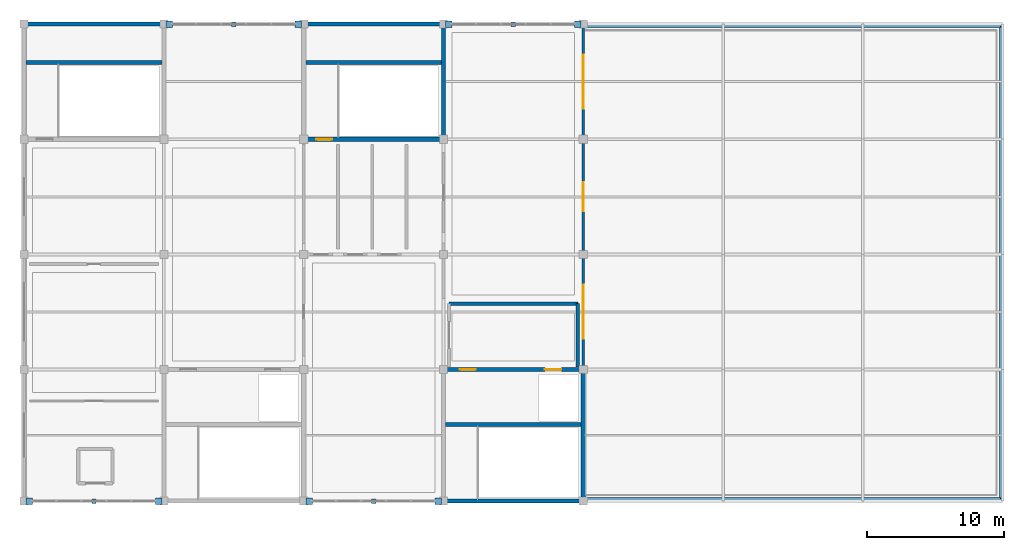
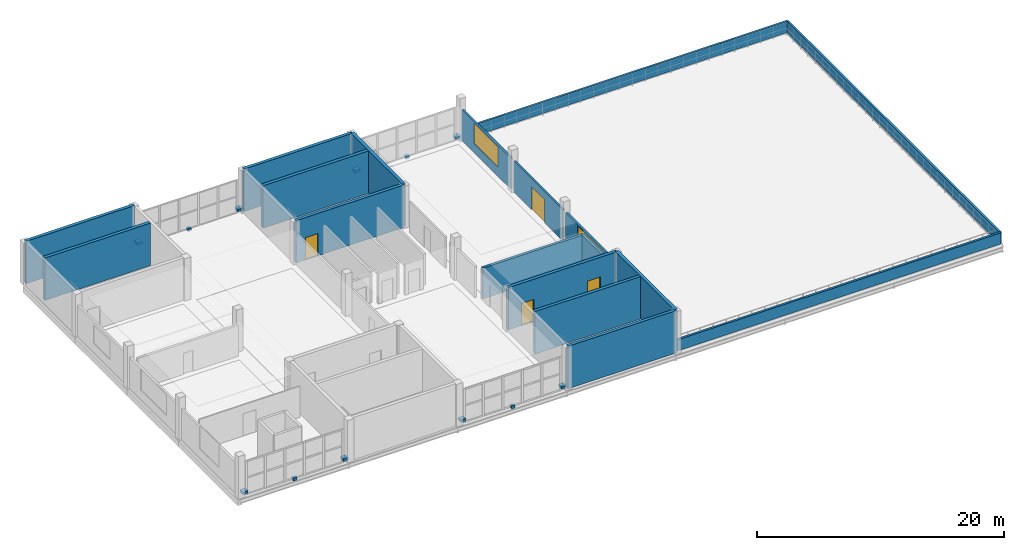
# One storey, part 11 of 12: 18 walls, 12 discrete accessories, 4 doors, 2 windows, 6 openings.
"""IFC4 building model written with IfcOpenShell, lengths in metres."""

import ifcopenshell
import ifcopenshell.guid

model = None  # the IFC model being written
_history = None  # IfcOwnerHistory: only IFC2X3 demands one
_inside = {}  # id of a spatial element -> (the spatial element, [elements in it])
_under = {}  # id of a project, library or spatial element -> (it, [spatial elements below it])
_declared = {}  # id of a project -> (the project, [libraries it declares])
_typed = {}  # id of a type object -> (the type object, [elements of that type])
_made_of = {}  # id of a material, layer set ... -> (it, [elements and type objects made of it])


def new_model(schema):
    """Start an empty IFC model of exactly this schema.

    Asked for "IFC4X3", IfcOpenShell would pick the latest addendum, in which some entities
    have other attributes; the version numbers below select the first issue.
    IFC2X3 requires an IfcOwnerHistory on every rooted entity: one is made here for all.
    """
    global model, _history
    if schema == "IFC4X3":
        model = ifcopenshell.file(schema_version=(4, 3, 0, 0))
    else:
        model = ifcopenshell.file(schema=schema)
    _inside.clear()
    _under.clear()
    _declared.clear()
    _typed.clear()
    _made_of.clear()
    _history = None
    if model.schema == "IFC2X3":
        org = make("IfcOrganization", Name="unknown")
        user = make(
            "IfcPersonAndOrganization",
            ThePerson=make("IfcPerson", FamilyName="unknown"),
            TheOrganization=org,
        )
        app = make(
            "IfcApplication",
            ApplicationDeveloper=org,
            Version="unknown",
            ApplicationFullName="unknown",
            ApplicationIdentifier="unknown",
        )
        _history = make(
            "IfcOwnerHistory",
            OwningUser=user,
            OwningApplication=app,
            ChangeAction="ADDED",
            CreationDate=0,
        )
    return model


def make(cls, **values):
    """One entity of the class cls with the attributes given. An attribute that is None is left unset."""
    return model.create_entity(
        cls, **{name: value for name, value in values.items() if value is not None}
    )


def rooted(cls, **values):
    """An entity with a GlobalId (a new one), such as an element, a storey or a relation."""
    return make(cls, GlobalId=ifcopenshell.guid.new(), OwnerHistory=_history, **values)


def si_unit(unit_type, name, prefix=None):
    """IfcSIUnit, for example si_unit("LENGTHUNIT", "METRE", prefix="MILLI")."""
    return make("IfcSIUnit", UnitType=unit_type, Prefix=prefix, Name=name)


def assignment(units):
    """IfcUnitAssignment: the units of a project."""
    return None if units is None else make("IfcUnitAssignment", Units=units)


def point(xyz):
    """IfcCartesianPoint."""
    return None if xyz is None else make("IfcCartesianPoint", Coordinates=xyz)


def direction(xyz):
    """IfcDirection."""
    return None if xyz is None else make("IfcDirection", DirectionRatios=xyz)


def frame(location, z_axis=None, x_axis=None):
    """IfcAxis2Placement3D, a coordinate frame: its origin and axes. An axis left out is left unset."""
    return make(
        "IfcAxis2Placement3D",
        Location=point(location),
        Axis=direction(z_axis),
        RefDirection=direction(x_axis),
    )


def frame_2d(location, x_axis=None):
    """IfcAxis2Placement2D, a coordinate frame in the plane: its origin and x axis."""
    return make(
        "IfcAxis2Placement2D", Location=point(location), RefDirection=direction(x_axis)
    )


def origin():
    """The frame at (0, 0, 0) with its axes left unset."""
    return frame((0.0, 0.0, 0.0))


def origin_2d():
    """The frame at (0, 0) in the plane with its x axis left unset."""
    return frame_2d((0.0, 0.0))


def place(relative_to, where):
    """IfcLocalPlacement: puts the frame where relative to a parent placement (None: the world)."""
    return make(
        "IfcLocalPlacement", PlacementRelTo=relative_to, RelativePlacement=where
    )


def context(
    kind, dimensions, precision=None, world=None, true_north=None, identifier=None
):
    """IfcGeometricRepresentationContext, for example the 3D "Model" context."""
    return make(
        "IfcGeometricRepresentationContext",
        ContextIdentifier=identifier,
        ContextType=kind,
        CoordinateSpaceDimension=dimensions,
        Precision=precision,
        WorldCoordinateSystem=world,
        TrueNorth=true_north,
    )


def subcontext(parent, identifier, kind, view, scale=None):
    """IfcGeometricRepresentationSubContext, for example "Body" below "Model"."""
    return make(
        "IfcGeometricRepresentationSubContext",
        ContextIdentifier=identifier,
        ContextType=kind,
        ParentContext=parent,
        TargetScale=scale,
        TargetView=view,
    )


def project(units=None, contexts=None):
    """IfcProject with its units and contexts."""
    return rooted(
        "IfcProject",
        Name="project",
        RepresentationContexts=contexts,
        UnitsInContext=assignment(units),
    )


def spatial(cls, under=None, at=None, **own):
    """A site, building, storey or space (cls), placed at a placement, below another one or the project."""
    s = rooted(cls, ObjectPlacement=at, **own)
    if under is not None:
        _under.setdefault(under.id(), (under, []))[1].append(s)
    return s


def profile(cls, at=None, kind="AREA", **sizes):
    """A parametric profile (cls). Its sizes go by their IFC names, for example OverallWidth=200.0."""
    return make(cls, ProfileType=kind, Position=at, **sizes)


def rectangle(**sizes):
    """IfcRectangleProfileDef."""
    return profile("IfcRectangleProfileDef", **sizes)


def extrude(swept, where, along, depth):
    """IfcExtrudedAreaSolid: the profile swept, set in the frame where, extruded along a direction by depth."""
    return make(
        "IfcExtrudedAreaSolid",
        SweptArea=swept,
        Position=where,
        ExtrudedDirection=direction(along),
        Depth=depth,
    )


def shape(context_of_items, identifier, shape_type, items):
    """IfcShapeRepresentation: the items that make up one representation, for example the "Body"."""
    return make(
        "IfcShapeRepresentation",
        ContextOfItems=context_of_items,
        RepresentationIdentifier=identifier,
        RepresentationType=shape_type,
        Items=items,
    )


def material(Name=None, Category=None):
    """IfcMaterial."""
    return make("IfcMaterial", Name=Name, Category=Category)


def layer(
    of_material, thickness, ventilated=None, Name=None, Category=None, Priority=None
):
    """IfcMaterialLayer: one layer of a wall or slab, of a material (None: an air gap)."""
    return make(
        "IfcMaterialLayer",
        Material=of_material,
        LayerThickness=thickness,
        IsVentilated=ventilated,
        Name=Name,
        Category=Category,
        Priority=Priority,
    )


def layer_set(layers, Name=None):
    """IfcMaterialLayerSet."""
    return make("IfcMaterialLayerSet", MaterialLayers=layers, LayerSetName=Name)


def made_of(thing, what):
    """Note that an element or type object is made of a material, layer set ...; save() writes the relation."""
    if what is not None:
        _made_of.setdefault(what.id(), (what, []))[1].append(thing)
    return thing


def type_object(cls, material=None, **own):
    """A type object (cls), such as IfcWallType, which elements share."""
    return made_of(rooted(cls, **own), material)


def element(
    cls,
    number,
    at=None,
    inside=None,
    cuts=None,
    type_object=None,
    material=None,
    context=None,
    identifier="Body",
    shape_type=None,
    held_by="IfcProductDefinitionShape",
    body=None,
    shapes=None,
    **own,
):
    """One element of the class cls, such as IfcWall. Its Tag is "e" and its number.

    at: its placement. inside: the storey or other place that contains it. cuts: it is an
    opening in that element (IfcRelVoidsElement). A single representation is given by context,
    identifier, shape_type and body (its items); several are given by shapes. held_by: the class
    of the entity that holds the representations. save() writes the other relations.
    """
    e = rooted(cls, Tag="e%d" % number, ObjectPlacement=at, **own)
    if body is not None:
        shapes = [shape(context, identifier, shape_type, body)]
    if shapes is not None:
        e.Representation = make(held_by, Representations=shapes)
    if inside is not None:
        _inside.setdefault(inside.id(), (inside, []))[1].append(e)
    if cuts is not None:
        rooted(
            "IfcRelVoidsElement", RelatingBuildingElement=cuts, RelatedOpeningElement=e
        )
    if type_object is not None:
        _typed.setdefault(type_object.id(), (type_object, []))[1].append(e)
    return made_of(e, material)


def fill(opening, filler):
    """IfcRelFillsElement: the door or window that sits in an opening."""
    return rooted(
        "IfcRelFillsElement",
        RelatingOpeningElement=opening,
        RelatedBuildingElement=filler,
    )


def aggregate(whole, parts):
    """IfcRelAggregates: a whole, such as a stair, and the parts it consists of."""
    return rooted("IfcRelAggregates", RelatingObject=whole, RelatedObjects=parts)


def save(model, path):
    """Write the relations noted so far, then the file.

    IfcRelAggregates (storeys below a building ...), IfcRelContainedInSpatialStructure (elements
    in a storey), IfcRelDefinesByType, IfcRelAssociatesMaterial and IfcRelDeclares: one each for
    every whole, place, type object, material and project.
    """
    for whole, parts in _under.values():
        aggregate(whole, parts)
    for where, things in _inside.values():
        rooted(
            "IfcRelContainedInSpatialStructure",
            RelatedElements=things,
            RelatingStructure=where,
        )
    for kind, things in _typed.values():
        rooted("IfcRelDefinesByType", RelatedObjects=things, RelatingType=kind)
    for what, things in _made_of.values():
        rooted("IfcRelAssociatesMaterial", RelatedObjects=things, RelatingMaterial=what)
    for by, libraries in _declared.values():
        rooted("IfcRelDeclares", RelatingContext=by, RelatedDefinitions=libraries)
    model.write(path)


model = new_model("IFC4")

# Units and contexts
model_context = context("Model", 3, precision=1e-05, world=origin(), true_north=direction((0.0, 1.0)))
body_context = subcontext(model_context, "Body", "Model", "MODEL_VIEW")
ifc_project = project(units=[si_unit("LENGTHUNIT", "METRE"), si_unit("AREAUNIT", "SQUARE_METRE"), si_unit("VOLUMEUNIT", "CUBIC_METRE"), si_unit("PLANEANGLEUNIT", "RADIAN"), si_unit("MASSUNIT", "GRAM", prefix="KILO")], contexts=[model_context])

# Site, building, storey
site_placement = place(None, origin())
site = spatial("IfcSite", under=ifc_project, at=site_placement, CompositionType="ELEMENT")
building_placement = place(site_placement, origin())
building = spatial("IfcBuilding", under=site, at=building_placement, Name="Brelvane Convention Centre", CompositionType="ELEMENT")
storey_placement = place(building_placement, frame((0.0, 0.0, 23.39990234375)))
storey = spatial("IfcBuildingStorey", under=building, at=storey_placement, Name="L05", CompositionType="ELEMENT", Elevation=23.39990234375)

# Wall, opening, window
ifc_material_1 = material(Name="Insulated Autoclaved Aerated Concrete Block Grade 1", Category="concrete")
ifc_layer_1 = layer(ifc_material_1, 0.18994140625)
ifc_layer_set_1 = layer_set([ifc_layer_1], Name="Insulated Autoclaved Aerated Concrete Block Grade 1")
wall_type_1 = type_object("IfcWallType", Name="Exterior Wall EW-06", PredefinedType="STANDARD", material=ifc_layer_set_1)
wall_1_placement = place(storey_placement, frame((40.800048828125, 119.0400390625, 0.0), z_axis=(0.0, 0.0, 1.0), x_axis=(0.0, 1.0, 0.0)))
wall_1 = element("IfcWall", 1, at=wall_1_placement, inside=storey, type_object=wall_type_1, Name="Exterior Wall L05 V4E-2", PredefinedType="STANDARD", context=body_context, shape_type="SweptSolid", body=[
    extrude(rectangle(XDim=7.919921875, YDim=0.18994140625, at=frame_2d((3.9599609375, 0.0))), origin(), (0.0, 0.0, 1.0), 3.06005859375),
])
opening_1_placement = place(wall_1_placement, frame((1.985107421875, 0.0, 0.89990234375)))
opening_1 = element("IfcOpeningElement", 2, at=opening_1_placement, cuts=wall_1, Name="Opening WN-19", PredefinedType="OPENING", context=body_context, shape_type="SweptSolid", body=[
    extrude(rectangle(XDim=3.949951171875, YDim=2.02001953125, at=frame_2d((1.97509765625, 1.010009765625))), frame((0.0, 0.10498046875, 0.0), z_axis=(0.0, -1.0, 0.0), x_axis=(1.0, 0.0, 0.0)), (0.0, 0.0, 1.0), 0.2099609375),
])
ifc_material_2 = material(Name="Double Glazed Low-E Laminated Unit")
window_type = type_object("IfcWindowType", Name="Window WN-19", PartitioningType="TRIPLE_PANEL_VERTICAL", PredefinedType="WINDOW", material=ifc_material_2)
window_1_placement = place(opening_1_placement, origin())
window_1 = element("IfcWindow", 3, at=window_1_placement, inside=storey, type_object=window_type, Name="Facade Window L05-V4E-2-064", OverallHeight=2.02001953125, OverallWidth=3.949951171875, PartitioningType="TRIPLE_PANEL_VERTICAL", PredefinedType="WINDOW", context=body_context, shape_type="SweptSolid", body=[
    extrude(rectangle(XDim=3.949951171875, YDim=2.02001953125, at=frame_2d((1.97509765625, 1.010009765625))), frame((0.0, 0.030029296875, 0.0), z_axis=(0.0, -1.0, 0.0), x_axis=(1.0, 0.0, 0.0)), (0.0, 0.0, 1.0), 0.06005859375),
])
fill(opening_1, window_1)

# Wall, opening, door
wall_2_placement = place(storey_placement, frame((40.800048828125, 127.43994140625, 0.0), z_axis=(0.0, 0.0, 1.0), x_axis=(0.0, 1.0, 0.0)))
wall_2 = element("IfcWall", 4, at=wall_2_placement, inside=storey, type_object=wall_type_1, Name="Exterior Wall L05 V4E-3", PredefinedType="STANDARD", context=body_context, shape_type="SweptSolid", body=[
    extrude(rectangle(XDim=7.920166015625, YDim=0.18994140625, at=frame_2d((3.9599609375, 0.0))), origin(), (0.0, 0.0, 1.0), 3.06005859375),
])
opening_2_placement = place(wall_2_placement, frame((2.909912109375, 0.0, 0.0)))
opening_2 = element("IfcOpeningElement", 5, at=opening_2_placement, cuts=wall_2, Name="Opening DR-TR-01", PredefinedType="OPENING", context=body_context, shape_type="SweptSolid", body=[
    extrude(rectangle(XDim=2.10009765625, YDim=2.300048828125, at=frame_2d((1.050048828125, 1.14990234375))), frame((0.0, 0.10498046875, 0.0), z_axis=(0.0, -1.0, 0.0), x_axis=(1.0, 0.0, 0.0)), (0.0, 0.0, 1.0), 0.2099609375),
])
ifc_material_3 = material(Name="Anodised Aluminium Alloy 6063-T6", Category="aluminium")
door_type_1 = type_object("IfcDoorType", Name="Exterior Door DR-TR-01", OperationType="NOTDEFINED", PredefinedType="DOOR", material=ifc_material_3)
door_1_placement = place(opening_2_placement, frame((2.10009765625, 0.0, 0.0), z_axis=(0.0, 0.0, 1.0), x_axis=(-1.0, 0.0, 0.0)))
door_1 = element("IfcDoor", 6, at=door_1_placement, inside=storey, type_object=door_type_1, Name="Terrace Exit Door RG-MEET-L05-3 (DR-TR-01)", OperationType="DOUBLE_DOOR_SINGLE_SWING", OverallHeight=2.300048828125, OverallWidth=2.10009765625, PredefinedType="DOOR", context=body_context, shape_type="SweptSolid", body=[
    extrude(rectangle(XDim=2.10009765625, YDim=2.300048828125, at=frame_2d((1.050048828125, 1.14990234375))), frame((0.0, 0.02490234375, 0.0), z_axis=(0.0, -1.0, 0.0), x_axis=(1.0, 0.0, 0.0)), (0.0, 0.0, 1.0), 0.050048828125),
])
fill(opening_2, door_1)

# Wall, opening, window
wall_3_placement = place(storey_placement, frame((40.800048828125, 135.840087890625, 0.0), z_axis=(0.0, 0.0, 1.0), x_axis=(0.0, 1.0, 0.0)))
wall_3 = element("IfcWall", 7, at=wall_3_placement, inside=storey, type_object=wall_type_1, Name="Exterior Wall L05 V4E-4", PredefinedType="STANDARD", context=body_context, shape_type="SweptSolid", body=[
    extrude(rectangle(XDim=7.919921875, YDim=0.18994140625, at=frame_2d((3.9599609375, 0.0))), origin(), (0.0, 0.0, 1.0), 3.06005859375),
])
opening_3_placement = place(wall_3_placement, frame((1.985107421875, 0.0, 0.89990234375)))
opening_3 = element("IfcOpeningElement", 8, at=opening_3_placement, cuts=wall_3, Name="Opening WN-19", PredefinedType="OPENING", context=body_context, shape_type="SweptSolid", body=[
    extrude(rectangle(XDim=3.949951171875, YDim=2.02001953125, at=frame_2d((1.97509765625, 1.010009765625))), frame((0.0, 0.10498046875, 0.0), z_axis=(0.0, -1.0, 0.0), x_axis=(1.0, 0.0, 0.0)), (0.0, 0.0, 1.0), 0.2099609375),
])
window_2_placement = place(opening_3_placement, origin())
window_2 = element("IfcWindow", 9, at=window_2_placement, inside=storey, type_object=window_type, Name="Facade Window L05-V4E-4-065", OverallHeight=2.02001953125, OverallWidth=3.949951171875, PartitioningType="TRIPLE_PANEL_VERTICAL", PredefinedType="WINDOW", context=body_context, shape_type="SweptSolid", body=[
    extrude(rectangle(XDim=3.949951171875, YDim=2.02001953125, at=frame_2d((1.97509765625, 1.010009765625))), frame((0.0, 0.030029296875, 0.0), z_axis=(0.0, -1.0, 0.0), x_axis=(1.0, 0.0, 0.0)), (0.0, 0.0, 1.0), 0.06005859375),
])
fill(opening_3, window_2)

# Walls
ifc_material_4 = material(Name="Concrete M40", Category="concrete")
ifc_layer_2 = layer(ifc_material_4, 0.199951171875)
ifc_layer_set_2 = layer_set([ifc_layer_2], Name="Concrete M40")
wall_type_2 = type_object("IfcWallType", Name="Exterior Wall PW-01", PredefinedType="PARAPET", material=ifc_layer_set_2)
wall_4_placement = place(storey_placement, frame((40.949951171875, 109.35009765625, 0.0), z_axis=(0.0, 0.0, 1.0), x_axis=(1.0, 0.0, 0.0)))
element("IfcWall", 10, at=wall_4_placement, inside=storey, type_object=wall_type_2, Name="Roof Parapet L05-P11", PredefinedType="PARAPET", context=body_context, shape_type="SweptSolid", body=[
    extrude(rectangle(XDim=30.300048828125, YDim=0.199951171875, at=frame_2d((15.14990234375, 0.0))), origin(), (0.0, 0.0, 1.0), 1.10009765625),
])
wall_5_placement = place(storey_placement, frame((71.25, 109.35009765625, 0.0), z_axis=(0.0, 0.0, 1.0), x_axis=(0.0, 1.0, 0.0)))
element("IfcWall", 11, at=wall_5_placement, inside=storey, type_object=wall_type_2, Name="Roof Parapet L05-P12", PredefinedType="PARAPET", context=body_context, shape_type="SweptSolid", body=[
    extrude(rectangle(XDim=34.5, YDim=0.199951171875, at=frame_2d((17.25, 0.0))), origin(), (0.0, 0.0, 1.0), 1.10009765625),
])
wall_6_placement = place(storey_placement, frame((71.25, 143.85009765625, 0.0), z_axis=(0.0, 0.0, 1.0), x_axis=(-1.0, 0.0, 0.0)))
element("IfcWall", 12, at=wall_6_placement, inside=storey, type_object=wall_type_2, Name="Roof Parapet L05-P13", PredefinedType="PARAPET", context=body_context, shape_type="SweptSolid", body=[
    extrude(rectangle(XDim=30.300048828125, YDim=0.199951171875, at=frame_2d((15.14990234375, 0.0))), origin(), (0.0, 0.0, 1.0), 1.10009765625),
])
ifc_material_5 = material(Name="Concrete M40", Category="concrete")
ifc_layer_3 = layer(ifc_material_5, 0.239990234375)
ifc_layer_set_3 = layer_set([ifc_layer_3], Name="Concrete M40")
wall_type_3 = type_object("IfcWallType", Name="Interior Wall IW-FR-240", PredefinedType="PARTITIONING", material=ifc_layer_set_3)
wall_7_placement = place(storey_placement, frame((31.0, 123.60009765625, 0.0), z_axis=(0.0, 0.0, 1.0), x_axis=(1.0, 0.0, 0.0)))
element("IfcWall", 13, at=wall_7_placement, inside=storey, type_object=wall_type_3, Name="Firefighting Lobby C7 Wall N (L05)", PredefinedType="PARTITIONING", context=body_context, shape_type="SweptSolid", body=[
    extrude(rectangle(XDim=9.39990234375, YDim=0.239990234375, at=frame_2d((4.699951171875, 0.0))), origin(), (0.0, 0.0, 1.0), 3.06005859375),
])
wall_8_placement = place(storey_placement, frame((40.39990234375, 119.0, 0.0), z_axis=(0.0, 0.0, 1.0), x_axis=(0.0, 1.0, 0.0)))
element("IfcWall", 14, at=wall_8_placement, inside=storey, type_object=wall_type_3, Name="Firefighting Lobby C7 Wall E (L05)", PredefinedType="PARTITIONING", context=body_context, shape_type="SweptSolid", body=[
    extrude(rectangle(XDim=4.60009765625, YDim=0.239990234375, at=frame_2d((2.300048828125, 0.0))), origin(), (0.0, 0.0, 1.0), 3.06005859375),
])
ifc_material_6 = material(Name="Concrete M50", Category="concrete")
ifc_layer_4 = layer(ifc_material_6, 0.300048828125)
ifc_layer_set_4 = layer_set([ifc_layer_4], Name="Concrete M50")
wall_type_4 = type_object("IfcWallType", Name="Structural Wall WL-CORE-300", PredefinedType="SHEAR", material=ifc_layer_set_4)
wall_9_placement = place(storey_placement, frame((30.60009765625, 109.199951171875, 0.0), z_axis=(0.0, 0.0, 1.0), x_axis=(1.0, 0.0, 0.0)))
element("IfcWall", 15, at=wall_9_placement, inside=storey, type_object=wall_type_4, Name="Core C7 Shear Wall S (L05)", PredefinedType="SHEAR", context=body_context, shape_type="SweptSolid", body=[
    extrude(rectangle(XDim=10.199951171875, YDim=0.300048828125, at=frame_2d((5.10009765625, 0.0))), origin(), (0.0, 0.0, 1.0), 4.2001953125),
])

# Wall, openings, doors
wall_10_placement = place(storey_placement, frame((30.60009765625, 118.800048828125, 0.0), z_axis=(0.0, 0.0, 1.0), x_axis=(1.0, 0.0, 0.0)))
wall_10 = element("IfcWall", 16, at=wall_10_placement, inside=storey, type_object=wall_type_4, Name="Core C7 Shear Wall N (L05)", PredefinedType="SHEAR", context=body_context, shape_type="SweptSolid", body=[
    extrude(rectangle(XDim=10.199951171875, YDim=0.300048828125, at=frame_2d((5.10009765625, 0.0))), origin(), (0.0, 0.0, 1.0), 4.2001953125),
])
opening_4_placement = place(wall_10_placement, frame((1.199951171875, 0.0, 0.0)))
opening_4 = element("IfcOpeningElement", 17, at=opening_4_placement, cuts=wall_10, Name="Opening DR-IN-04L", PredefinedType="OPENING", context=body_context, shape_type="SweptSolid", body=[
    extrude(rectangle(XDim=1.159912109375, YDim=2.199951171875, at=frame_2d((0.580078125, 1.10009765625))), frame((0.0, 0.159912109375, 0.0), z_axis=(0.0, -1.0, 0.0), x_axis=(1.0, 0.0, 0.0)), (0.0, 0.0, 1.0), 0.320068359375),
])
opening_5_placement = place(wall_10_placement, frame((7.39990234375, 0.0, 0.0)))
opening_5 = element("IfcOpeningElement", 18, at=opening_5_placement, cuts=wall_10, Name="Opening LD-01", PredefinedType="OPENING", context=body_context, shape_type="SweptSolid", body=[
    extrude(rectangle(XDim=1.199951171875, YDim=2.25, at=frame_2d((0.60009765625, 1.125))), frame((0.0, 0.159912109375, 0.0), z_axis=(0.0, -1.0, 0.0), x_axis=(1.0, 0.0, 0.0)), (0.0, 0.0, 1.0), 0.320068359375),
])
ifc_material_7 = material(Name="Galvanised Hollow-Metal Fire Door Steel E250", Category="steel")
door_type_2 = type_object("IfcDoorType", Name="Interior Door DR-IN-04L", OperationType="NOTDEFINED", PredefinedType="DOOR", material=ifc_material_7)
door_2_placement = place(opening_4_placement, origin())
door_2 = element("IfcDoor", 19, at=door_2_placement, inside=storey, type_object=door_type_2, Name="Stair ST-07 Door (L05)", OperationType="SINGLE_SWING_LEFT", OverallHeight=2.199951171875, OverallWidth=1.159912109375, PredefinedType="DOOR", context=body_context, shape_type="SweptSolid", body=[
    extrude(rectangle(XDim=1.159912109375, YDim=2.199951171875, at=frame_2d((0.580078125, 1.10009765625))), frame((0.0, 0.02490234375, 0.0), z_axis=(0.0, -1.0, 0.0), x_axis=(1.0, 0.0, 0.0)), (0.0, 0.0, 1.0), 0.050048828125),
])
fill(opening_4, door_2)
ifc_material_8 = material(Name="Galvanised Hollow-Metal Fire Door Steel E250", Category="steel")
door_type_3 = type_object("IfcDoorType", Name="Interior Door LD-01", OperationType="NOTDEFINED", PredefinedType="DOOR", material=ifc_material_8)
door_3_placement = place(opening_5_placement, origin())
door_3 = element("IfcDoor", 20, at=door_3_placement, inside=storey, type_object=door_type_3, Name="Lift LF-04 Landing Door (L05)", OperationType="SLIDING_TO_LEFT", OverallHeight=2.25, OverallWidth=1.199951171875, PredefinedType="DOOR", context=body_context, shape_type="SweptSolid", body=[
    extrude(rectangle(XDim=1.199951171875, YDim=2.25, at=frame_2d((0.60009765625, 1.125))), frame((0.0, 0.02490234375, 0.0), z_axis=(0.0, -1.0, 0.0), x_axis=(1.0, 0.0, 0.0)), (0.0, 0.0, 1.0), 0.050048828125),
])
fill(opening_5, door_3)

# Walls
wall_11_placement = place(storey_placement, frame((40.800048828125, 109.199951171875, 0.0), z_axis=(0.0, 0.0, 1.0), x_axis=(0.0, 1.0, 0.0)))
element("IfcWall", 21, at=wall_11_placement, inside=storey, type_object=wall_type_4, Name="Core C7 Shear Wall E (L05)", PredefinedType="SHEAR", context=body_context, shape_type="SweptSolid", body=[
    extrude(rectangle(XDim=9.60009765625, YDim=0.300048828125, at=frame_2d((4.800048828125, 0.0))), origin(), (0.0, 0.0, 1.0), 4.2001953125),
])
wall_12_placement = place(storey_placement, frame((30.75, 114.800048828125, 0.0), z_axis=(0.0, 0.0, 1.0), x_axis=(1.0, 0.0, 0.0)))
element("IfcWall", 22, at=wall_12_placement, inside=storey, type_object=wall_type_4, Name="Core C7 Shaft Divider Wall (L05)", PredefinedType="SHEAR", context=body_context, shape_type="SweptSolid", body=[
    extrude(rectangle(XDim=9.89990234375, YDim=0.300048828125, at=frame_2d((4.949951171875, 0.0))), origin(), (0.0, 0.0, 1.0), 4.2001953125),
])

# Wall, opening, door
wall_13_placement = place(storey_placement, frame((20.39990234375, 135.60009765625, 0.0), z_axis=(0.0, 0.0, 1.0), x_axis=(1.0, 0.0, 0.0)))
wall_13 = element("IfcWall", 23, at=wall_13_placement, inside=storey, type_object=wall_type_4, Name="Stair Core ST-13 Wall S (L05)", PredefinedType="SHEAR", context=body_context, shape_type="SweptSolid", body=[
    extrude(rectangle(XDim=10.2001953125, YDim=0.300048828125, at=frame_2d((5.10009765625, 0.0))), origin(), (0.0, 0.0, 1.0), 4.2001953125),
])
opening_6_placement = place(wall_13_placement, frame((0.919921875, 0.0, 0.0)))
opening_6 = element("IfcOpeningElement", 24, at=opening_6_placement, cuts=wall_13, Name="Opening DR-IN-04L", PredefinedType="OPENING", context=body_context, shape_type="SweptSolid", body=[
    extrude(rectangle(XDim=1.159912109375, YDim=2.199951171875, at=frame_2d((0.580078125, 1.10009765625))), frame((0.0, 0.159912109375, 0.0), z_axis=(0.0, -1.0, 0.0), x_axis=(1.0, 0.0, 0.0)), (0.0, 0.0, 1.0), 0.320068359375),
])
door_4_placement = place(opening_6_placement, origin())
door_4 = element("IfcDoor", 25, at=door_4_placement, inside=storey, type_object=door_type_2, Name="Stair ST-13 Entry Door (L05)", OperationType="SINGLE_SWING_LEFT", OverallHeight=2.199951171875, OverallWidth=1.159912109375, PredefinedType="DOOR", context=body_context, shape_type="SweptSolid", body=[
    extrude(rectangle(XDim=1.159912109375, YDim=2.199951171875, at=frame_2d((0.580078125, 1.10009765625))), frame((0.0, 0.02490234375, 0.0), z_axis=(0.0, -1.0, 0.0), x_axis=(1.0, 0.0, 0.0)), (0.0, 0.0, 1.0), 0.050048828125),
])
fill(opening_6, door_4)

# Walls
wall_14_placement = place(storey_placement, frame((20.39990234375, 144.0, 0.0), z_axis=(0.0, 0.0, 1.0), x_axis=(1.0, 0.0, 0.0)))
element("IfcWall", 26, at=wall_14_placement, inside=storey, type_object=wall_type_4, Name="Stair Core ST-13 Wall N (L05)", PredefinedType="SHEAR", context=body_context, shape_type="SweptSolid", body=[
    extrude(rectangle(XDim=10.2001953125, YDim=0.300048828125, at=frame_2d((5.10009765625, 0.0))), origin(), (0.0, 0.0, 1.0), 4.2001953125),
])
wall_15_placement = place(storey_placement, frame((30.60009765625, 135.60009765625, 0.0), z_axis=(0.0, 0.0, 1.0), x_axis=(0.0, 1.0, 0.0)))
element("IfcWall", 27, at=wall_15_placement, inside=storey, type_object=wall_type_4, Name="Stair Core ST-13 Wall E (L05)", PredefinedType="SHEAR", context=body_context, shape_type="SweptSolid", body=[
    extrude(rectangle(XDim=8.39990234375, YDim=0.300048828125, at=frame_2d((4.199951171875, 0.0))), origin(), (0.0, 0.0, 1.0), 4.2001953125),
])
wall_16_placement = place(storey_placement, frame((20.550048828125, 141.199951171875, 0.0), z_axis=(0.0, 0.0, 1.0), x_axis=(1.0, 0.0, 0.0)))
element("IfcWall", 28, at=wall_16_placement, inside=storey, type_object=wall_type_4, Name="Stair Core ST-13 Well Wall (L05)", PredefinedType="SHEAR", context=body_context, shape_type="SweptSolid", body=[
    extrude(rectangle(XDim=9.89990234375, YDim=0.300048828125, at=frame_2d((4.949951171875, 0.0))), origin(), (0.0, 0.0, 1.0), 4.2001953125),
])
wall_17_placement = place(storey_placement, frame((0.0, 144.0, 0.0), z_axis=(0.0, 0.0, 1.0), x_axis=(1.0, 0.0, 0.0)))
element("IfcWall", 29, at=wall_17_placement, inside=storey, type_object=wall_type_4, Name="Stair Core ST-17 Wall N (L05)", PredefinedType="SHEAR", context=body_context, shape_type="SweptSolid", body=[
    extrude(rectangle(XDim=10.199951171875, YDim=0.300048828125, at=frame_2d((5.10009765625, 0.0))), origin(), (0.0, 0.0, 1.0), 4.2001953125),
])
wall_18_placement = place(storey_placement, frame((0.14990234375, 141.199951171875, 0.0), z_axis=(0.0, 0.0, 1.0), x_axis=(1.0, 0.0, 0.0)))
element("IfcWall", 30, at=wall_18_placement, inside=storey, type_object=wall_type_4, Name="Stair Core ST-17 Well Wall (L05)", PredefinedType="SHEAR", context=body_context, shape_type="SweptSolid", body=[
    extrude(rectangle(XDim=9.900146484375, YDim=0.300048828125, at=frame_2d((4.9501953125, 0.0))), origin(), (0.0, 0.0, 1.0), 4.2001953125),
])

# Discrete accessories
ifc_material_9 = material(Name="Steel E350 (350 MPa)", Category="steel")
discrete_accessory_type = type_object("IfcDiscreteAccessoryType", Name="Facade Outrigger Bracket BRK-02", PredefinedType="BRACKET", material=ifc_material_9)
for number, where, z_axis, x_axis, name in (
    (31, (0.389892578125, 109.199951171875, 0.22998046875), (0.0, 0.0, 1.0), (1.0, 0.0, 0.0), "Curtain Wall Anchor Bracket L05-V4S-01-L"),
    (32, (9.81005859375, 109.199951171875, 0.22998046875), (0.0, 0.0, 1.0), (1.0, 0.0, 0.0), "Curtain Wall Anchor Bracket L05-V4S-01-R"),
):
    element("IfcDiscreteAccessory", number, at=place(storey_placement, frame(where, z_axis=z_axis, x_axis=x_axis)), inside=storey, type_object=discrete_accessory_type, Name=name, PredefinedType="BRACKET", context=body_context, shape_type="SweptSolid", body=[
        extrude(rectangle(XDim=0.47998046875, YDim=0.47998046875, at=origin_2d()), origin(), (0.0, 0.0, 1.0), 0.239990234375),
    ])
discrete_accessory_1_placement = place(storey_placement, frame((5.10009765625, 109.199951171875, -0.14013671875), z_axis=(0.0, 0.0, 1.0), x_axis=(1.0, 0.0, 0.0)))
element("IfcDiscreteAccessory", 33, at=discrete_accessory_1_placement, inside=storey, type_object=discrete_accessory_type, Name="Curtain Wall Anchor Bracket L05-V4S-01-B", PredefinedType="BRACKET", context=body_context, shape_type="SweptSolid", body=[
    extrude(rectangle(XDim=0.320068359375, YDim=0.320068359375, at=origin_2d()), origin(), (0.0, 0.0, 1.0), 0.280029296875),
])
for number, where, z_axis, x_axis, name in (
    (34, (10.590087890625, 144.0, 0.22998046875), (0.0, 0.0, 1.0), (1.0, 0.0, 0.0), "Curtain Wall Anchor Bracket L05-V4N-02-L"),
    (35, (20.010009765625, 144.0, 0.22998046875), (0.0, 0.0, 1.0), (1.0, 0.0, 0.0), "Curtain Wall Anchor Bracket L05-V4N-02-R"),
):
    element("IfcDiscreteAccessory", number, at=place(storey_placement, frame(where, z_axis=z_axis, x_axis=x_axis)), inside=storey, type_object=discrete_accessory_type, Name=name, PredefinedType="BRACKET", context=body_context, shape_type="SweptSolid", body=[
        extrude(rectangle(XDim=0.47998046875, YDim=0.47998046875, at=origin_2d()), origin(), (0.0, 0.0, 1.0), 0.239990234375),
    ])
discrete_accessory_2_placement = place(storey_placement, frame((15.300048828125, 144.0, -0.14013671875), z_axis=(0.0, 0.0, 1.0), x_axis=(1.0, 0.0, 0.0)))
element("IfcDiscreteAccessory", 36, at=discrete_accessory_2_placement, inside=storey, type_object=discrete_accessory_type, Name="Curtain Wall Anchor Bracket L05-V4N-02-B", PredefinedType="BRACKET", context=body_context, shape_type="SweptSolid", body=[
    extrude(rectangle(XDim=0.320068359375, YDim=0.320068359375, at=origin_2d()), origin(), (0.0, 0.0, 1.0), 0.280029296875),
])
for number, where, z_axis, x_axis, name in (
    (37, (20.7900390625, 109.199951171875, 0.22998046875), (0.0, 0.0, 1.0), (1.0, 0.0, 0.0), "Curtain Wall Anchor Bracket L05-V4S-03-L"),
    (38, (30.2099609375, 109.199951171875, 0.22998046875), (0.0, 0.0, 1.0), (1.0, 0.0, 0.0), "Curtain Wall Anchor Bracket L05-V4S-03-R"),
):
    element("IfcDiscreteAccessory", number, at=place(storey_placement, frame(where, z_axis=z_axis, x_axis=x_axis)), inside=storey, type_object=discrete_accessory_type, Name=name, PredefinedType="BRACKET", context=body_context, shape_type="SweptSolid", body=[
        extrude(rectangle(XDim=0.47998046875, YDim=0.47998046875, at=origin_2d()), origin(), (0.0, 0.0, 1.0), 0.239990234375),
    ])
discrete_accessory_3_placement = place(storey_placement, frame((25.5, 109.199951171875, -0.14013671875), z_axis=(0.0, 0.0, 1.0), x_axis=(1.0, 0.0, 0.0)))
element("IfcDiscreteAccessory", 39, at=discrete_accessory_3_placement, inside=storey, type_object=discrete_accessory_type, Name="Curtain Wall Anchor Bracket L05-V4S-03-B", PredefinedType="BRACKET", context=body_context, shape_type="SweptSolid", body=[
    extrude(rectangle(XDim=0.320068359375, YDim=0.320068359375, at=origin_2d()), origin(), (0.0, 0.0, 1.0), 0.280029296875),
])
for number, where, z_axis, x_axis, name in (
    (40, (30.989990234375, 144.0, 0.22998046875), (0.0, 0.0, 1.0), (1.0, 0.0, 0.0), "Curtain Wall Anchor Bracket L05-V4N-04-L"),
    (41, (40.409912109375, 144.0, 0.22998046875), (0.0, 0.0, 1.0), (1.0, 0.0, 0.0), "Curtain Wall Anchor Bracket L05-V4N-04-R"),
):
    element("IfcDiscreteAccessory", number, at=place(storey_placement, frame(where, z_axis=z_axis, x_axis=x_axis)), inside=storey, type_object=discrete_accessory_type, Name=name, PredefinedType="BRACKET", context=body_context, shape_type="SweptSolid", body=[
        extrude(rectangle(XDim=0.47998046875, YDim=0.47998046875, at=origin_2d()), origin(), (0.0, 0.0, 1.0), 0.239990234375),
    ])
discrete_accessory_4_placement = place(storey_placement, frame((35.699951171875, 144.0, -0.14013671875), z_axis=(0.0, 0.0, 1.0), x_axis=(1.0, 0.0, 0.0)))
element("IfcDiscreteAccessory", 42, at=discrete_accessory_4_placement, inside=storey, type_object=discrete_accessory_type, Name="Curtain Wall Anchor Bracket L05-V4N-04-B", PredefinedType="BRACKET", context=body_context, shape_type="SweptSolid", body=[
    extrude(rectangle(XDim=0.320068359375, YDim=0.320068359375, at=origin_2d()), origin(), (0.0, 0.0, 1.0), 0.280029296875),
])

save(model, "model.ifc")
